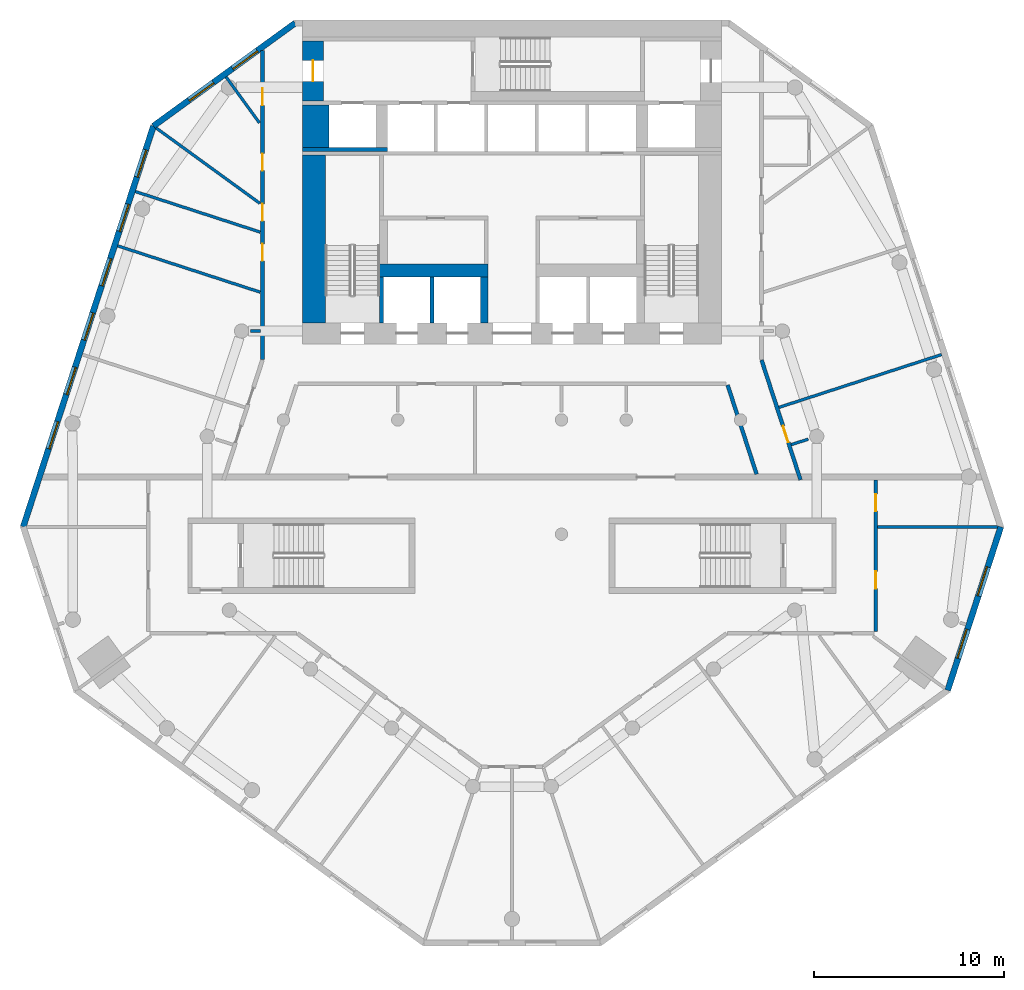
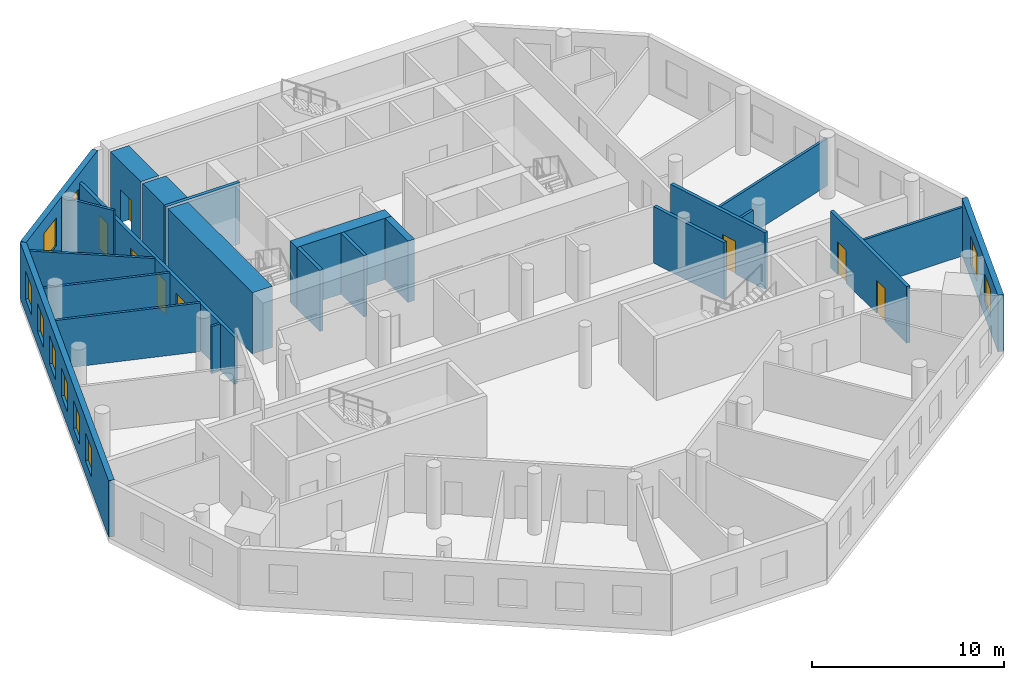
# One storey, part 4 of 9: 23 walls, 10 windows, 8 doors, 18 openings.
"""IFC4 building model written with IfcOpenShell, lengths in metres."""

from ifc_helpers import new_model, si_unit, direction, frame, frame_2d, origin, place, context, subcontext, project, spatial, rectangle, extrude, material, layer, layer_set, type_object, element, fill, save


model = new_model("IFC4")

# Units and contexts
model_context = context("Model", 3, precision=1e-05, world=origin(), true_north=direction((0.0, 1.0)))
body_context = subcontext(model_context, "Body", "Model", "MODEL_VIEW")
ifc_project = project(units=[si_unit("LENGTHUNIT", "METRE"), si_unit("AREAUNIT", "SQUARE_METRE"), si_unit("VOLUMEUNIT", "CUBIC_METRE"), si_unit("PLANEANGLEUNIT", "RADIAN"), si_unit("MASSUNIT", "GRAM", prefix="KILO")], contexts=[model_context])

# Site, building, storey
site_placement = place(None, origin())
site = spatial("IfcSite", under=ifc_project, at=site_placement, CompositionType="ELEMENT")
building_placement = place(site_placement, origin())
building = spatial("IfcBuilding", under=site, at=building_placement, Name="White Candle Pilgrim Tower", CompositionType="ELEMENT")
storey_placement = place(building_placement, frame((0.0, 0.0, 110.300048828125)))
storey = spatial("IfcBuildingStorey", under=building, at=storey_placement, Name="L24", CompositionType="ELEMENT", Elevation=110.300048828125)

# Wall, opening, door
ifc_material_1 = material(Name="Concrete C60/75", Category="concrete")
ifc_layer_1 = layer(ifc_material_1, 1.10009765625)
ifc_layer_set_1 = layer_set([ifc_layer_1], Name="Core wall 1100 mm Concrete C60/75")
wall_type_1 = type_object("IfcWallType", Name="Core wall 1100 mm Concrete C60/75", PredefinedType="SHEAR", material=ifc_layer_set_1)
wall_1_placement = place(storey_placement, frame((59.550048828125, 83.75, 0.0), z_axis=(0.0, 0.0, 1.0), x_axis=(0.0, 1.0, 0.0)))
wall_1 = element("IfcWall", 1, at=wall_1_placement, inside=storey, type_object=wall_type_1, Name="WL-L24-C42", PredefinedType="SHEAR", context=body_context, shape_type="SweptSolid", body=[
    extrude(rectangle(XDim=3.14990234375, YDim=1.10009765625, at=frame_2d((1.574951171875, 0.0))), origin(), (0.0, 0.0, 1.0), 3.89990234375),
])
opening_1_placement = place(wall_1_placement, frame((1.02490234375, 0.0, 0.0)))
opening_1 = element("IfcOpeningElement", 2, at=opening_1_placement, cuts=wall_1, Name="Opening T07-005", PredefinedType="OPENING", context=body_context, shape_type="SweptSolid", body=[
    extrude(rectangle(XDim=1.10009765625, YDim=2.10009765625, at=frame_2d((0.550048828125, 1.050048828125))), frame((0.0, 0.56005859375, 0.0), z_axis=(0.0, -1.0, 0.0), x_axis=(1.0, 0.0, 0.0)), (0.0, 0.0, 1.0), 1.1201171875),
])
ifc_material_2 = material(Name="Steel door leaf", Category="steel")
door_type_1 = type_object("IfcDoorType", Name="Fire door 1100 x 2100 EI 60", OperationType="NOTDEFINED", PredefinedType="DOOR", material=ifc_material_2)
door_1_placement = place(opening_1_placement, origin())
door_1 = element("IfcDoor", 3, at=door_1_placement, inside=storey, type_object=door_type_1, Name="Door T07-005", OperationType="SINGLE_SWING_LEFT", OverallHeight=2.10009765625, OverallWidth=1.10009765625, PredefinedType="DOOR", context=body_context, shape_type="SweptSolid", body=[
    extrude(rectangle(XDim=1.10009765625, YDim=2.10009765625, at=frame_2d((0.550048828125, 1.050048828125))), frame((0.0, 0.02490234375, 0.0), z_axis=(0.0, -1.0, 0.0), x_axis=(1.0, 0.0, 0.0)), (0.0, 0.0, 1.0), 0.050048828125),
])
fill(opening_1, door_1)

# Walls
ifc_layer_2 = layer(ifc_material_1, 1.39990234375)
ifc_layer_set_2 = layer_set([ifc_layer_2], Name="Core wall 1400 mm Concrete C60/75")
wall_type_2 = type_object("IfcWallType", Name="Core wall 1400 mm Concrete C60/75", PredefinedType="SHEAR", material=ifc_layer_set_2)
wall_2_placement = place(storey_placement, frame((59.699951171875, 81.300048828125, 0.0), z_axis=(0.0, 0.0, 1.0), x_axis=(0.0, 1.0, 0.0)))
element("IfcWall", 4, at=wall_2_placement, inside=storey, type_object=wall_type_2, Name="WL-L24-C37", PredefinedType="SHEAR", context=body_context, shape_type="SweptSolid", body=[
    extrude(rectangle(XDim=2.25, YDim=1.39990234375, at=frame_2d((1.125, 0.0))), origin(), (0.0, 0.0, 1.0), 3.89990234375),
])
ifc_layer_3 = layer(ifc_material_1, 0.199951171875)
ifc_layer_set_3 = layer_set([ifc_layer_3], Name="Core wall 200 mm Concrete C60/75")
wall_type_3 = type_object("IfcWallType", Name="Core wall 200 mm Concrete C60/75", PredefinedType="SHEAR", material=ifc_layer_set_3)
wall_3_placement = place(storey_placement, frame((59.0, 81.199951171875, 0.0), z_axis=(0.0, 0.0, 1.0), x_axis=(1.0, 0.0, 0.0)))
element("IfcWall", 5, at=wall_3_placement, inside=storey, type_object=wall_type_3, Name="WL-L24-C31", PredefinedType="SHEAR", context=body_context, shape_type="SweptSolid", body=[
    extrude(rectangle(XDim=4.449951171875, YDim=0.199951171875, at=frame_2d((2.22509765625, 0.0))), origin(), (0.0, 0.0, 1.0), 3.89990234375),
])

# Wall, openings, doors
ifc_material_3 = material(Name="Gypsum board on steel studs", Category="steel")
ifc_layer_4 = layer(ifc_material_3, 0.199951171875)
ifc_layer_set_4 = layer_set([ifc_layer_4], Name="Corridor wall 200 mm EI 45")
wall_type_4 = type_object("IfcWallType", Name="Corridor wall 200 mm EI 45", PredefinedType="PARTITIONING", material=ifc_layer_set_4)
wall_4_placement = place(storey_placement, frame((56.89990234375, 70.17431640625, 0.0), z_axis=(0.0, 0.0, 1.0), x_axis=(0.0, 1.0, 0.0)))
wall_4 = element("IfcWall", 6, at=wall_4_placement, inside=storey, type_object=wall_type_4, Name="WL-L24-P003", PredefinedType="PARTITIONING", context=body_context, shape_type="SweptSolid", body=[
    extrude(rectangle(XDim=16.221923828125, YDim=0.199951171875, at=frame_2d((8.11083984375, 0.0))), origin(), (0.0, 0.0, 1.0), 3.0),
])
opening_2_placement = place(wall_4_placement, frame((5.176025390625, 0.0, 0.0)))
opening_2 = element("IfcOpeningElement", 7, at=opening_2_placement, cuts=wall_4, Name="Opening T07-119", PredefinedType="OPENING", context=body_context, shape_type="SweptSolid", body=[
    extrude(rectangle(XDim=0.89990234375, YDim=2.10009765625, at=frame_2d((0.449951171875, 1.050048828125))), frame((0.0, 0.10986328125, 0.0), z_axis=(0.0, -1.0, 0.0), x_axis=(1.0, 0.0, 0.0)), (0.0, 0.0, 1.0), 0.219970703125),
])
opening_3_placement = place(wall_4_placement, frame((7.272216796875, 0.0, 0.0)))
opening_3 = element("IfcOpeningElement", 8, at=opening_3_placement, cuts=wall_4, Name="Opening T07-120", PredefinedType="OPENING", context=body_context, shape_type="SweptSolid", body=[
    extrude(rectangle(XDim=0.89990234375, YDim=2.10009765625, at=frame_2d((0.449951171875, 1.050048828125))), frame((0.0, 0.10986328125, 0.0), z_axis=(0.0, -1.0, 0.0), x_axis=(1.0, 0.0, 0.0)), (0.0, 0.0, 1.0), 0.219970703125),
])
opening_4_placement = place(wall_4_placement, frame((9.91455078125, 0.0, 0.0)))
opening_4 = element("IfcOpeningElement", 9, at=opening_4_placement, cuts=wall_4, Name="Opening T07-121", PredefinedType="OPENING", context=body_context, shape_type="SweptSolid", body=[
    extrude(rectangle(XDim=0.89990234375, YDim=2.10009765625, at=frame_2d((0.449951171875, 1.050048828125))), frame((0.0, 0.10986328125, 0.0), z_axis=(0.0, -1.0, 0.0), x_axis=(1.0, 0.0, 0.0)), (0.0, 0.0, 1.0), 0.219970703125),
])
opening_5_placement = place(wall_4_placement, frame((13.338623046875, 0.0, 0.0)))
opening_5 = element("IfcOpeningElement", 10, at=opening_5_placement, cuts=wall_4, Name="Opening T07-122", PredefinedType="OPENING", context=body_context, shape_type="SweptSolid", body=[
    extrude(rectangle(XDim=0.89990234375, YDim=2.10009765625, at=frame_2d((0.449951171875, 1.050048828125))), frame((0.0, 0.10986328125, 0.0), z_axis=(0.0, -1.0, 0.0), x_axis=(1.0, 0.0, 0.0)), (0.0, 0.0, 1.0), 0.219970703125),
])
door_type_2 = type_object("IfcDoorType", Name="Fire door 900 x 2100 EI 30", OperationType="NOTDEFINED", PredefinedType="DOOR", material=ifc_material_2)
door_2_placement = place(opening_2_placement, origin())
door_2 = element("IfcDoor", 11, at=door_2_placement, inside=storey, type_object=door_type_2, Name="Door T07-119", OperationType="SINGLE_SWING_LEFT", OverallHeight=2.10009765625, OverallWidth=0.89990234375, PredefinedType="DOOR", context=body_context, shape_type="SweptSolid", body=[
    extrude(rectangle(XDim=0.89990234375, YDim=2.10009765625, at=frame_2d((0.449951171875, 1.050048828125))), frame((0.0, 0.02490234375, 0.0), z_axis=(0.0, -1.0, 0.0), x_axis=(1.0, 0.0, 0.0)), (0.0, 0.0, 1.0), 0.050048828125),
])
fill(opening_2, door_2)
door_3_placement = place(opening_3_placement, origin())
door_3 = element("IfcDoor", 12, at=door_3_placement, inside=storey, type_object=door_type_2, Name="Door T07-120", OperationType="SINGLE_SWING_RIGHT", OverallHeight=2.10009765625, OverallWidth=0.89990234375, PredefinedType="DOOR", context=body_context, shape_type="SweptSolid", body=[
    extrude(rectangle(XDim=0.89990234375, YDim=2.10009765625, at=frame_2d((0.449951171875, 1.050048828125))), frame((0.0, 0.02490234375, 0.0), z_axis=(0.0, -1.0, 0.0), x_axis=(1.0, 0.0, 0.0)), (0.0, 0.0, 1.0), 0.050048828125),
])
fill(opening_3, door_3)
door_4_placement = place(opening_4_placement, origin())
door_4 = element("IfcDoor", 13, at=door_4_placement, inside=storey, type_object=door_type_2, Name="Door T07-121", OperationType="SINGLE_SWING_LEFT", OverallHeight=2.10009765625, OverallWidth=0.89990234375, PredefinedType="DOOR", context=body_context, shape_type="SweptSolid", body=[
    extrude(rectangle(XDim=0.89990234375, YDim=2.10009765625, at=frame_2d((0.449951171875, 1.050048828125))), frame((0.0, 0.02490234375, 0.0), z_axis=(0.0, -1.0, 0.0), x_axis=(1.0, 0.0, 0.0)), (0.0, 0.0, 1.0), 0.050048828125),
])
fill(opening_4, door_4)
door_5_placement = place(opening_5_placement, origin())
door_5 = element("IfcDoor", 14, at=door_5_placement, inside=storey, type_object=door_type_2, Name="Door T07-122", OperationType="SINGLE_SWING_RIGHT", OverallHeight=2.10009765625, OverallWidth=0.89990234375, PredefinedType="DOOR", context=body_context, shape_type="SweptSolid", body=[
    extrude(rectangle(XDim=0.89990234375, YDim=2.10009765625, at=frame_2d((0.449951171875, 1.050048828125))), frame((0.0, 0.02490234375, 0.0), z_axis=(0.0, -1.0, 0.0), x_axis=(1.0, 0.0, 0.0)), (0.0, 0.0, 1.0), 0.050048828125),
])
fill(opening_5, door_5)

# Wall, opening, door
wall_5_placement = place(storey_placement, frame((83.10498046875, 70.143310546875, 0.0), z_axis=(0.0, 0.0, 1.0), x_axis=(0.309001809517, -0.951061450021, 0.0)))
wall_5 = element("IfcWall", 15, at=wall_5_placement, inside=storey, type_object=wall_type_4, Name="WL-L24-P005", PredefinedType="PARTITIONING", context=body_context, shape_type="SweptSolid", body=[
    extrude(rectangle(XDim=6.616943359375, YDim=0.199951171875, at=frame_2d((3.30859375, 0.0))), origin(), (0.0, 0.0, 1.0), 3.599853515625),
])
opening_6_placement = place(wall_5_placement, frame((3.640869140625, 0.0, 0.0)))
opening_6 = element("IfcOpeningElement", 16, at=opening_6_placement, cuts=wall_5, Name="Opening T07-126", PredefinedType="OPENING", context=body_context, shape_type="SweptSolid", body=[
    extrude(rectangle(XDim=0.89990234375, YDim=2.10009765625, at=frame_2d((0.449951171875, 1.050048828125))), frame((0.0, 0.10986328125, 0.0), z_axis=(0.0, -1.0, 0.0), x_axis=(1.0, 0.0, 0.0)), (0.0, 0.0, 1.0), 0.219970703125),
])
door_6_placement = place(opening_6_placement, origin())
door_6 = element("IfcDoor", 17, at=door_6_placement, inside=storey, type_object=door_type_2, Name="Door T07-126", OperationType="SINGLE_SWING_RIGHT", OverallHeight=2.10009765625, OverallWidth=0.89990234375, PredefinedType="DOOR", context=body_context, shape_type="SweptSolid", body=[
    extrude(rectangle(XDim=0.89990234375, YDim=2.10009765625, at=frame_2d((0.449951171875, 1.050048828125))), frame((0.0, 0.02490234375, 0.0), z_axis=(0.0, -1.0, 0.0), x_axis=(1.0, 0.0, 0.0)), (0.0, 0.0, 1.0), 0.050048828125),
])
fill(opening_6, door_6)

# Wall, openings, doors
wall_6_placement = place(storey_placement, frame((89.10009765625, 63.85009765625, 0.0), z_axis=(0.0, 0.0, 1.0), x_axis=(0.0, -1.0, 0.0)))
wall_6 = element("IfcWall", 18, at=wall_6_placement, inside=storey, type_object=wall_type_4, Name="WL-L24-P006", PredefinedType="PARTITIONING", context=body_context, shape_type="SweptSolid", body=[
    extrude(rectangle(XDim=7.9501953125, YDim=0.199951171875, at=frame_2d((3.97509765625, 0.0))), origin(), (0.0, 0.0, 1.0), 3.599853515625),
])
opening_7_placement = place(wall_6_placement, frame((4.806640625, 0.0, 0.0)))
opening_7 = element("IfcOpeningElement", 19, at=opening_7_placement, cuts=wall_6, Name="Opening T07-112", PredefinedType="OPENING", context=body_context, shape_type="SweptSolid", body=[
    extrude(rectangle(XDim=0.89990234375, YDim=2.10009765625, at=frame_2d((0.449951171875, 1.050048828125))), frame((0.0, 0.10986328125, 0.0), z_axis=(0.0, -1.0, 0.0), x_axis=(1.0, 0.0, 0.0)), (0.0, 0.0, 1.0), 0.219970703125),
])
opening_8_placement = place(wall_6_placement, frame((0.744140625, 0.0, 0.0)))
opening_8 = element("IfcOpeningElement", 20, at=opening_8_placement, cuts=wall_6, Name="Opening T07-127", PredefinedType="OPENING", context=body_context, shape_type="SweptSolid", body=[
    extrude(rectangle(XDim=0.89990234375, YDim=2.10009765625, at=frame_2d((0.449951171875, 1.050048828125))), frame((0.0, 0.10986328125, 0.0), z_axis=(0.0, -1.0, 0.0), x_axis=(1.0, 0.0, 0.0)), (0.0, 0.0, 1.0), 0.219970703125),
])
door_7_placement = place(opening_7_placement, origin())
door_7 = element("IfcDoor", 21, at=door_7_placement, inside=storey, type_object=door_type_2, Name="Door T07-112", OperationType="SINGLE_SWING_RIGHT", OverallHeight=2.10009765625, OverallWidth=0.89990234375, PredefinedType="DOOR", context=body_context, shape_type="SweptSolid", body=[
    extrude(rectangle(XDim=0.89990234375, YDim=2.10009765625, at=frame_2d((0.449951171875, 1.050048828125))), frame((0.0, 0.02490234375, 0.0), z_axis=(0.0, -1.0, 0.0), x_axis=(1.0, 0.0, 0.0)), (0.0, 0.0, 1.0), 0.050048828125),
])
fill(opening_7, door_7)
door_8_placement = place(opening_8_placement, origin())
door_8 = element("IfcDoor", 22, at=door_8_placement, inside=storey, type_object=door_type_2, Name="Door T07-127", OperationType="SINGLE_SWING_LEFT", OverallHeight=2.10009765625, OverallWidth=0.89990234375, PredefinedType="DOOR", context=body_context, shape_type="SweptSolid", body=[
    extrude(rectangle(XDim=0.89990234375, YDim=2.10009765625, at=frame_2d((0.449951171875, 1.050048828125))), frame((0.0, 0.02490234375, 0.0), z_axis=(0.0, -1.0, 0.0), x_axis=(1.0, 0.0, 0.0)), (0.0, 0.0, 1.0), 0.050048828125),
])
fill(opening_8, door_8)

# Wall
wall_7_placement = place(storey_placement, frame((82.84423828125, 64.14990234375, 0.0), z_axis=(0.0, 0.0, 1.0), x_axis=(-0.309031112369, 0.951051928965, 0.0)))
element("IfcWall", 23, at=wall_7_placement, inside=storey, type_object=wall_type_4, Name="WL-L24-P015", PredefinedType="PARTITIONING", context=body_context, shape_type="SweptSolid", body=[
    extrude(rectangle(XDim=4.921875, YDim=0.199951171875, at=frame_2d((2.4609375, 0.0))), origin(), (0.0, 0.0, 1.0), 3.599853515625),
])

# Wall, openings, windows
ifc_material_4 = material(Name="Precast concrete C40/50", Category="concrete")
ifc_layer_5 = layer(ifc_material_4, 0.320068359375)
ifc_layer_set_5 = layer_set([ifc_layer_5], Name="Facade wall EW1 precast concrete C40/50 pier wall with timber-lined reveals")
wall_type_5 = type_object("IfcWallType", Name="Facade wall EW1 precast concrete C40/50 pier wall with timber-lined reveals", PredefinedType="SOLIDWALL", material=ifc_layer_set_5)
wall_8_placement = place(storey_placement, frame((92.875732421875, 52.800537109375, 0.0), z_axis=(0.0, 0.0, 1.0), x_axis=(0.309014528868, 0.951057317384, 0.0)))
wall_8 = element("IfcWall", 24, at=wall_8_placement, inside=storey, type_object=wall_type_5, Name="Facade wall L24 E chamfer", PredefinedType="SOLIDWALL", context=body_context, shape_type="SweptSolid", body=[
    extrude(rectangle(XDim=9.028076171875, YDim=0.320068359375, at=frame_2d((4.51416015625, 0.0))), origin(), (0.0, 0.0, 1.0), 3.599853515625),
])
opening_9_placement = place(wall_8_placement, frame((1.763916015625, 0.0, 0.89990234375)))
opening_9 = element("IfcOpeningElement", 25, at=opening_9_placement, cuts=wall_8, Name="Opening W2", PredefinedType="OPENING", context=body_context, shape_type="SweptSolid", body=[
    extrude(rectangle(XDim=1.60009765625, YDim=1.800048828125, at=frame_2d((0.800048828125, 0.89990234375))), frame((0.0, 0.169921875, 0.0), z_axis=(0.0, -1.0, 0.0), x_axis=(1.0, 0.0, 0.0)), (0.0, 0.0, 1.0), 0.340087890625),
])
opening_10_placement = place(wall_8_placement, frame((5.214111328125, 0.0, 0.89990234375)))
opening_10 = element("IfcOpeningElement", 26, at=opening_10_placement, cuts=wall_8, Name="Opening W2", PredefinedType="OPENING", context=body_context, shape_type="SweptSolid", body=[
    extrude(rectangle(XDim=1.60009765625, YDim=1.800048828125, at=frame_2d((0.800048828125, 0.89990234375))), frame((0.0, 0.169921875, 0.0), z_axis=(0.0, -1.0, 0.0), x_axis=(1.0, 0.0, 0.0)), (0.0, 0.0, 1.0), 0.340087890625),
])
ifc_material_5 = material(Name="Timber frame with triple glazing", Category="wood")
window_type_1 = type_object("IfcWindowType", Name="Window W2 1600x1800 timber frame triple glazing", PartitioningType="SINGLE_PANEL", PredefinedType="WINDOW", material=ifc_material_5)
window_1_placement = place(opening_9_placement, origin())
window_1 = element("IfcWindow", 27, at=window_1_placement, inside=storey, type_object=window_type_1, Name="Window W2 L24 E chamfer 1", OverallHeight=1.800048828125, OverallWidth=1.60009765625, PartitioningType="SINGLE_PANEL", PredefinedType="WINDOW", context=body_context, shape_type="SweptSolid", body=[
    extrude(rectangle(XDim=1.60009765625, YDim=1.800048828125, at=frame_2d((0.800048828125, 0.89990234375))), frame((0.0, 0.070068359375, 0.0), z_axis=(0.0, -1.0, 0.0), x_axis=(1.0, 0.0, 0.0)), (0.0, 0.0, 1.0), 0.06005859375),
])
fill(opening_9, window_1)
window_2_placement = place(opening_10_placement, origin())
window_2 = element("IfcWindow", 28, at=window_2_placement, inside=storey, type_object=window_type_1, Name="Window W2 L24 E chamfer 2", OverallHeight=1.800048828125, OverallWidth=1.60009765625, PartitioningType="SINGLE_PANEL", PredefinedType="WINDOW", context=body_context, shape_type="SweptSolid", body=[
    extrude(rectangle(XDim=1.60009765625, YDim=1.800048828125, at=frame_2d((0.800048828125, 0.89990234375))), frame((0.0, 0.070068359375, 0.0), z_axis=(0.0, -1.0, 0.0), x_axis=(1.0, 0.0, 0.0)), (0.0, 0.0, 1.0), 0.06005859375),
])
fill(opening_10, window_2)

wall_9_placement = place(storey_placement, frame((58.614990234375, 87.840087890625, 0.0), z_axis=(0.0, 0.0, 1.0), x_axis=(-0.809006846007, -0.587799220069, 0.0)))
wall_9 = element("IfcWall", 29, at=wall_9_placement, inside=storey, type_object=wall_type_5, Name="Facade wall L24 NW chamfer", PredefinedType="SOLIDWALL", context=body_context, shape_type="SweptSolid", body=[
    extrude(rectangle(XDim=9.19921875, YDim=0.320068359375, at=frame_2d((4.599609375, 0.0))), origin(), (0.0, 0.0, 1.0), 3.599853515625),
])
opening_11_placement = place(wall_9_placement, frame((2.459716796875, 0.0, 0.89990234375)))
opening_11 = element("IfcOpeningElement", 30, at=opening_11_placement, cuts=wall_9, Name="Opening W2", PredefinedType="OPENING", context=body_context, shape_type="SweptSolid", body=[
    extrude(rectangle(XDim=1.60009765625, YDim=1.800048828125, at=frame_2d((0.800048828125, 0.89990234375))), frame((0.0, 0.169921875, 0.0), z_axis=(0.0, -1.0, 0.0), x_axis=(1.0, 0.0, 0.0)), (0.0, 0.0, 1.0), 0.340087890625),
])
opening_12_placement = place(wall_9_placement, frame((5.299560546875, 0.0, 0.89990234375)))
opening_12 = element("IfcOpeningElement", 31, at=opening_12_placement, cuts=wall_9, Name="Opening W2", PredefinedType="OPENING", context=body_context, shape_type="SweptSolid", body=[
    extrude(rectangle(XDim=1.60009765625, YDim=1.800048828125, at=frame_2d((0.800048828125, 0.89990234375))), frame((0.0, 0.169921875, 0.0), z_axis=(0.0, -1.0, 0.0), x_axis=(1.0, 0.0, 0.0)), (0.0, 0.0, 1.0), 0.340087890625),
])
window_3_placement = place(opening_11_placement, origin())
window_3 = element("IfcWindow", 32, at=window_3_placement, inside=storey, type_object=window_type_1, Name="Window W2 L24 NW chamfer 1", OverallHeight=1.800048828125, OverallWidth=1.60009765625, PartitioningType="SINGLE_PANEL", PredefinedType="WINDOW", context=body_context, shape_type="SweptSolid", body=[
    extrude(rectangle(XDim=1.60009765625, YDim=1.800048828125, at=frame_2d((0.800048828125, 0.89990234375))), frame((0.0, 0.070068359375, 0.0), z_axis=(0.0, -1.0, 0.0), x_axis=(1.0, 0.0, 0.0)), (0.0, 0.0, 1.0), 0.06005859375),
])
fill(opening_11, window_3)
window_4_placement = place(opening_12_placement, origin())
window_4 = element("IfcWindow", 33, at=window_4_placement, inside=storey, type_object=window_type_1, Name="Window W2 L24 NW chamfer 2", OverallHeight=1.800048828125, OverallWidth=1.60009765625, PartitioningType="SINGLE_PANEL", PredefinedType="WINDOW", context=body_context, shape_type="SweptSolid", body=[
    extrude(rectangle(XDim=1.60009765625, YDim=1.800048828125, at=frame_2d((0.800048828125, 0.89990234375))), frame((0.0, 0.070068359375, 0.0), z_axis=(0.0, -1.0, 0.0), x_axis=(1.0, 0.0, 0.0)), (0.0, 0.0, 1.0), 0.06005859375),
])
fill(opening_12, window_4)

wall_10_placement = place(storey_placement, frame((51.1728515625, 82.432861328125, 0.0), z_axis=(0.0, 0.0, 1.0), x_axis=(-0.30901996398, -0.951055551407, 0.0)))
wall_10 = element("IfcWall", 34, at=wall_10_placement, inside=storey, type_object=wall_type_5, Name="Facade wall L24 WNW", PredefinedType="SOLIDWALL", context=body_context, shape_type="SweptSolid", body=[
    extrude(rectangle(XDim=22.129150390625, YDim=0.320068359375, at=frame_2d((11.064453125, 0.0))), origin(), (0.0, 0.0, 1.0), 3.599853515625),
])
opening_13_placement = place(wall_10_placement, frame((1.314697265625, 0.0, 0.89990234375)))
opening_13 = element("IfcOpeningElement", 35, at=opening_13_placement, cuts=wall_10, Name="Opening W1", PredefinedType="OPENING", context=body_context, shape_type="SweptSolid", body=[
    extrude(rectangle(XDim=1.5, YDim=1.800048828125, at=frame_2d((0.75, 0.89990234375))), frame((0.0, 0.169921875, 0.0), z_axis=(0.0, -1.0, 0.0), x_axis=(1.0, 0.0, 0.0)), (0.0, 0.0, 1.0), 0.340087890625),
])
opening_14_placement = place(wall_10_placement, frame((4.314697265625, 0.0, 0.89990234375)))
opening_14 = element("IfcOpeningElement", 36, at=opening_14_placement, cuts=wall_10, Name="Opening W1", PredefinedType="OPENING", context=body_context, shape_type="SweptSolid", body=[
    extrude(rectangle(XDim=1.5, YDim=1.800048828125, at=frame_2d((0.75, 0.89990234375))), frame((0.0, 0.169921875, 0.0), z_axis=(0.0, -1.0, 0.0), x_axis=(1.0, 0.0, 0.0)), (0.0, 0.0, 1.0), 0.340087890625),
])
opening_15_placement = place(wall_10_placement, frame((7.314697265625, 0.0, 0.89990234375)))
opening_15 = element("IfcOpeningElement", 37, at=opening_15_placement, cuts=wall_10, Name="Opening W1", PredefinedType="OPENING", context=body_context, shape_type="SweptSolid", body=[
    extrude(rectangle(XDim=1.5, YDim=1.800048828125, at=frame_2d((0.75, 0.89990234375))), frame((0.0, 0.169921875, 0.0), z_axis=(0.0, -1.0, 0.0), x_axis=(1.0, 0.0, 0.0)), (0.0, 0.0, 1.0), 0.340087890625),
])
opening_16_placement = place(wall_10_placement, frame((10.314697265625, 0.0, 0.89990234375)))
opening_16 = element("IfcOpeningElement", 38, at=opening_16_placement, cuts=wall_10, Name="Opening W1", PredefinedType="OPENING", context=body_context, shape_type="SweptSolid", body=[
    extrude(rectangle(XDim=1.5, YDim=1.800048828125, at=frame_2d((0.75, 0.89990234375))), frame((0.0, 0.169921875, 0.0), z_axis=(0.0, -1.0, 0.0), x_axis=(1.0, 0.0, 0.0)), (0.0, 0.0, 1.0), 0.340087890625),
])
opening_17_placement = place(wall_10_placement, frame((13.314697265625, 0.0, 0.89990234375)))
opening_17 = element("IfcOpeningElement", 39, at=opening_17_placement, cuts=wall_10, Name="Opening W1", PredefinedType="OPENING", context=body_context, shape_type="SweptSolid", body=[
    extrude(rectangle(XDim=1.5, YDim=1.800048828125, at=frame_2d((0.75, 0.89990234375))), frame((0.0, 0.169921875, 0.0), z_axis=(0.0, -1.0, 0.0), x_axis=(1.0, 0.0, 0.0)), (0.0, 0.0, 1.0), 0.340087890625),
])
opening_18_placement = place(wall_10_placement, frame((16.314697265625, 0.0, 0.89990234375)))
opening_18 = element("IfcOpeningElement", 40, at=opening_18_placement, cuts=wall_10, Name="Opening W1", PredefinedType="OPENING", context=body_context, shape_type="SweptSolid", body=[
    extrude(rectangle(XDim=1.5, YDim=1.800048828125, at=frame_2d((0.75, 0.89990234375))), frame((0.0, 0.169921875, 0.0), z_axis=(0.0, -1.0, 0.0), x_axis=(1.0, 0.0, 0.0)), (0.0, 0.0, 1.0), 0.340087890625),
])
window_type_2 = type_object("IfcWindowType", Name="Window W1 1500x1800 timber frame triple glazing", PartitioningType="SINGLE_PANEL", PredefinedType="WINDOW", material=ifc_material_5)
window_5_placement = place(opening_13_placement, origin())
window_5 = element("IfcWindow", 41, at=window_5_placement, inside=storey, type_object=window_type_2, Name="Window W1 L24 WNW 1", OverallHeight=1.800048828125, OverallWidth=1.5, PartitioningType="SINGLE_PANEL", PredefinedType="WINDOW", context=body_context, shape_type="SweptSolid", body=[
    extrude(rectangle(XDim=1.5, YDim=1.800048828125, at=frame_2d((0.75, 0.89990234375))), frame((0.0, 0.070068359375, 0.0), z_axis=(0.0, -1.0, 0.0), x_axis=(1.0, 0.0, 0.0)), (0.0, 0.0, 1.0), 0.06005859375),
])
fill(opening_13, window_5)
window_6_placement = place(opening_14_placement, origin())
window_6 = element("IfcWindow", 42, at=window_6_placement, inside=storey, type_object=window_type_2, Name="Window W1 L24 WNW 2", OverallHeight=1.800048828125, OverallWidth=1.5, PartitioningType="SINGLE_PANEL", PredefinedType="WINDOW", context=body_context, shape_type="SweptSolid", body=[
    extrude(rectangle(XDim=1.5, YDim=1.800048828125, at=frame_2d((0.75, 0.89990234375))), frame((0.0, 0.070068359375, 0.0), z_axis=(0.0, -1.0, 0.0), x_axis=(1.0, 0.0, 0.0)), (0.0, 0.0, 1.0), 0.06005859375),
])
fill(opening_14, window_6)
window_7_placement = place(opening_15_placement, origin())
window_7 = element("IfcWindow", 43, at=window_7_placement, inside=storey, type_object=window_type_2, Name="Window W1 L24 WNW 3", OverallHeight=1.800048828125, OverallWidth=1.5, PartitioningType="SINGLE_PANEL", PredefinedType="WINDOW", context=body_context, shape_type="SweptSolid", body=[
    extrude(rectangle(XDim=1.5, YDim=1.800048828125, at=frame_2d((0.75, 0.89990234375))), frame((0.0, 0.070068359375, 0.0), z_axis=(0.0, -1.0, 0.0), x_axis=(1.0, 0.0, 0.0)), (0.0, 0.0, 1.0), 0.06005859375),
])
fill(opening_15, window_7)
window_8_placement = place(opening_16_placement, origin())
window_8 = element("IfcWindow", 44, at=window_8_placement, inside=storey, type_object=window_type_2, Name="Window W1 L24 WNW 4", OverallHeight=1.800048828125, OverallWidth=1.5, PartitioningType="SINGLE_PANEL", PredefinedType="WINDOW", context=body_context, shape_type="SweptSolid", body=[
    extrude(rectangle(XDim=1.5, YDim=1.800048828125, at=frame_2d((0.75, 0.89990234375))), frame((0.0, 0.070068359375, 0.0), z_axis=(0.0, -1.0, 0.0), x_axis=(1.0, 0.0, 0.0)), (0.0, 0.0, 1.0), 0.06005859375),
])
fill(opening_16, window_8)
window_9_placement = place(opening_17_placement, origin())
window_9 = element("IfcWindow", 45, at=window_9_placement, inside=storey, type_object=window_type_2, Name="Window W1 L24 WNW 5", OverallHeight=1.800048828125, OverallWidth=1.5, PartitioningType="SINGLE_PANEL", PredefinedType="WINDOW", context=body_context, shape_type="SweptSolid", body=[
    extrude(rectangle(XDim=1.5, YDim=1.800048828125, at=frame_2d((0.75, 0.89990234375))), frame((0.0, 0.070068359375, 0.0), z_axis=(0.0, -1.0, 0.0), x_axis=(1.0, 0.0, 0.0)), (0.0, 0.0, 1.0), 0.06005859375),
])
fill(opening_17, window_9)
window_10_placement = place(opening_18_placement, origin())
window_10 = element("IfcWindow", 46, at=window_10_placement, inside=storey, type_object=window_type_2, Name="Window W1 L24 WNW 6", OverallHeight=1.800048828125, OverallWidth=1.5, PartitioningType="SINGLE_PANEL", PredefinedType="WINDOW", context=body_context, shape_type="SweptSolid", body=[
    extrude(rectangle(XDim=1.5, YDim=1.800048828125, at=frame_2d((0.75, 0.89990234375))), frame((0.0, 0.070068359375, 0.0), z_axis=(0.0, -1.0, 0.0), x_axis=(1.0, 0.0, 0.0)), (0.0, 0.0, 1.0), 0.06005859375),
])
fill(opening_18, window_10)

# Walls
ifc_layer_6 = layer(ifc_material_3, 0.14990234375)
ifc_layer_set_6 = layer_set([ifc_layer_6], Name="Partition 150 mm EI 60")
wall_type_6 = type_object("IfcWallType", Name="Partition 150 mm EI 60", PredefinedType="PARTITIONING", material=ifc_layer_set_6)
wall_11_placement = place(storey_placement, frame((51.308837890625, 82.333984375, 0.0), z_axis=(0.0, 0.0, 1.0), x_axis=(0.809015103539, -0.587787854796, 0.0)))
element("IfcWall", 47, at=wall_11_placement, inside=storey, type_object=wall_type_6, Name="WL-L24-P016", PredefinedType="PARTITIONING", context=body_context, shape_type="SweptSolid", body=[
    extrude(rectangle(XDim=6.73291015625, YDim=0.14990234375, at=frame_2d((3.366455078125, 0.0))), origin(), (0.0, 0.0, 1.0), 3.099853515625),
])
wall_12_placement = place(storey_placement, frame((95.497314453125, 61.38671875, 0.0), z_axis=(0.0, 0.0, 1.0), x_axis=(-1.0, 0.0, 0.0)))
element("IfcWall", 48, at=wall_12_placement, inside=storey, type_object=wall_type_6, Name="WL-L24-P022", PredefinedType="PARTITIONING", context=body_context, shape_type="SweptSolid", body=[
    extrude(rectangle(XDim=6.29736328125, YDim=0.14990234375, at=frame_2d((3.148681640625, 0.0))), origin(), (0.0, 0.0, 1.0), 3.099853515625),
])
wall_13_placement = place(storey_placement, frame((54.98779296875, 85.007080078125, 0.0), z_axis=(0.0, 0.0, 1.0), x_axis=(0.587791638005, -0.809012354845, 0.0)))
element("IfcWall", 49, at=wall_13_placement, inside=storey, type_object=wall_type_6, Name="WL-L24-P024", PredefinedType="PARTITIONING", context=body_context, shape_type="SweptSolid", body=[
    extrude(rectangle(XDim=2.979736328125, YDim=0.14990234375, at=frame_2d((1.48974609375, 0.0))), origin(), (0.0, 0.0, 1.0), 3.599853515625),
])
wall_14_placement = place(storey_placement, frame((50.223388671875, 78.993408203125, 0.0), z_axis=(0.0, 0.0, 1.0), x_axis=(0.951054635807, -0.309022781862, 0.0)))
element("IfcWall", 50, at=wall_14_placement, inside=storey, type_object=wall_type_6, Name="WL-L24-P025", PredefinedType="PARTITIONING", context=body_context, shape_type="SweptSolid", body=[
    extrude(rectangle(XDim=6.890625, YDim=0.14990234375, at=frame_2d((3.4453125, 0.0))), origin(), (0.0, 0.0, 1.0), 3.099853515625),
])
wall_15_placement = place(storey_placement, frame((49.29638671875, 76.14013671875, 0.0), z_axis=(0.0, 0.0, 1.0), x_axis=(0.951061437635, -0.309001847639, 0.0)))
element("IfcWall", 51, at=wall_15_placement, inside=storey, type_object=wall_type_6, Name="WL-L24-P026", PredefinedType="PARTITIONING", context=body_context, shape_type="SweptSolid", body=[
    extrude(rectangle(XDim=7.865478515625, YDim=0.14990234375, at=frame_2d((3.9326171875, 0.0))), origin(), (0.0, 0.0, 1.0), 3.099853515625),
])
wall_16_placement = place(storey_placement, frame((92.557861328125, 70.433837890625, 0.0), z_axis=(0.0, 0.0, 1.0), x_axis=(-0.951059239389, -0.309008613427, 0.0)))
element("IfcWall", 52, at=wall_16_placement, inside=storey, type_object=wall_type_6, Name="WL-L24-P035", PredefinedType="PARTITIONING", context=body_context, shape_type="SweptSolid", body=[
    extrude(rectangle(XDim=8.97998046875, YDim=0.14990234375, at=frame_2d((4.489990234375, 0.0))), origin(), (0.0, 0.0, 1.0), 3.0),
])
wall_17_placement = place(storey_placement, frame((85.558837890625, 65.992919921875, 0.0), z_axis=(0.0, 0.0, 1.0), x_axis=(-0.951068009431, -0.308981619901, 0.0)))
element("IfcWall", 53, at=wall_17_placement, inside=storey, type_object=wall_type_6, Name="WL-L24-P049", PredefinedType="PARTITIONING", context=body_context, shape_type="SweptSolid", body=[
    extrude(rectangle(XDim=0.951416015625, YDim=0.14990234375, at=frame_2d((0.4755859375, 0.0))), origin(), (0.0, 0.0, 1.0), 3.599853515625),
])
wall_18_placement = place(storey_placement, frame((56.264892578125, 71.67236328125, 0.0), z_axis=(0.0, 0.0, 1.0), x_axis=(1.0, 0.0, 0.0)))
element("IfcWall", 54, at=wall_18_placement, inside=storey, type_object=wall_type_6, Name="WL-L24-P051", PredefinedType="PARTITIONING", context=body_context, shape_type="SweptSolid", body=[
    extrude(rectangle(XDim=0.53515625, YDim=0.14990234375, at=frame_2d((0.267578125, 0.0))), origin(), (0.0, 0.0, 1.0), 3.0),
])
ifc_layer_7 = layer(ifc_material_1, 0.199951171875)
ifc_layer_set_7 = layer_set([ifc_layer_7], Name="Shaft wall 200 mm Concrete C60/75")
wall_type_7 = type_object("IfcWallType", Name="Shaft wall 200 mm Concrete C60/75", PredefinedType="SHEAR", material=ifc_layer_set_7)
wall_19_placement = place(storey_placement, frame((65.800048828125, 72.10009765625, 0.0), z_axis=(0.0, 0.0, 1.0), x_axis=(0.0, 1.0, 0.0)))
element("IfcWall", 55, at=wall_19_placement, inside=storey, type_object=wall_type_7, Name="WL-L24-C14", PredefinedType="SHEAR", context=body_context, shape_type="SweptSolid", body=[
    extrude(rectangle(XDim=2.39990234375, YDim=0.199951171875, at=frame_2d((1.199951171875, 0.0))), origin(), (0.0, 0.0, 1.0), 3.89990234375),
])
ifc_layer_8 = layer(ifc_material_1, 0.39990234375)
ifc_layer_set_8 = layer_set([ifc_layer_8], Name="Shaft wall 400 mm Concrete C60/75")
wall_type_8 = type_object("IfcWallType", Name="Shaft wall 400 mm Concrete C60/75", PredefinedType="SHEAR", material=ifc_layer_set_8)
wall_20_placement = place(storey_placement, frame((68.550048828125, 72.10009765625, 0.0), z_axis=(0.0, 0.0, 1.0), x_axis=(0.0, 1.0, 0.0)))
element("IfcWall", 56, at=wall_20_placement, inside=storey, type_object=wall_type_8, Name="WL-L24-C15", PredefinedType="SHEAR", context=body_context, shape_type="SweptSolid", body=[
    extrude(rectangle(XDim=2.39990234375, YDim=0.39990234375, at=frame_2d((1.199951171875, 0.0))), origin(), (0.0, 0.0, 1.0), 3.89990234375),
])
ifc_layer_9 = layer(ifc_material_1, 1.199951171875)
ifc_layer_set_9 = layer_set([ifc_layer_9], Name="Stair shaft wall 1200 mm Concrete C60/75")
wall_type_9 = type_object("IfcWallType", Name="Stair shaft wall 1200 mm Concrete C60/75", PredefinedType="SHEAR", material=ifc_layer_set_9)
wall_21_placement = place(storey_placement, frame((59.60009765625, 72.10009765625, 0.0), z_axis=(0.0, 0.0, 1.0), x_axis=(0.0, 1.0, 0.0)))
element("IfcWall", 57, at=wall_21_placement, inside=storey, type_object=wall_type_9, Name="WL-L24-C12", PredefinedType="SHEAR", context=body_context, shape_type="SweptSolid", body=[
    extrude(rectangle(XDim=8.7998046875, YDim=1.199951171875, at=frame_2d((4.39990234375, 0.0))), origin(), (0.0, 0.0, 1.0), 3.89990234375),
])
ifc_layer_10 = layer(ifc_material_1, 0.199951171875)
ifc_layer_set_10 = layer_set([ifc_layer_10], Name="Stair shaft wall 200 mm Concrete C60/75")
wall_type_10 = type_object("IfcWallType", Name="Stair shaft wall 200 mm Concrete C60/75", PredefinedType="SHEAR", material=ifc_layer_set_10)
wall_22_placement = place(storey_placement, frame((63.14990234375, 72.10009765625, 0.0), z_axis=(0.0, 0.0, 1.0), x_axis=(0.0, 1.0, 0.0)))
element("IfcWall", 58, at=wall_22_placement, inside=storey, type_object=wall_type_10, Name="WL-L24-C13", PredefinedType="SHEAR", context=body_context, shape_type="SweptSolid", body=[
    extrude(rectangle(XDim=2.39990234375, YDim=0.199951171875, at=frame_2d((1.199951171875, 0.0))), origin(), (0.0, 0.0, 1.0), 3.89990234375),
])
ifc_layer_11 = layer(ifc_material_1, 0.699951171875)
ifc_layer_set_11 = layer_set([ifc_layer_11], Name="Stair shaft wall 700 mm Concrete C60/75")
wall_type_11 = type_object("IfcWallType", Name="Stair shaft wall 700 mm Concrete C60/75", PredefinedType="SHEAR", material=ifc_layer_set_11)
wall_23_placement = place(storey_placement, frame((63.050048828125, 74.85009765625, 0.0), z_axis=(0.0, 0.0, 1.0), x_axis=(1.0, 0.0, 0.0)))
element("IfcWall", 59, at=wall_23_placement, inside=storey, type_object=wall_type_11, Name="WL-L24-C20", PredefinedType="SHEAR", context=body_context, shape_type="SweptSolid", body=[
    extrude(rectangle(XDim=5.699951171875, YDim=0.699951171875, at=frame_2d((2.85009765625, 0.0))), origin(), (0.0, 0.0, 1.0), 3.89990234375),
])

save(model, "model.ifc")
